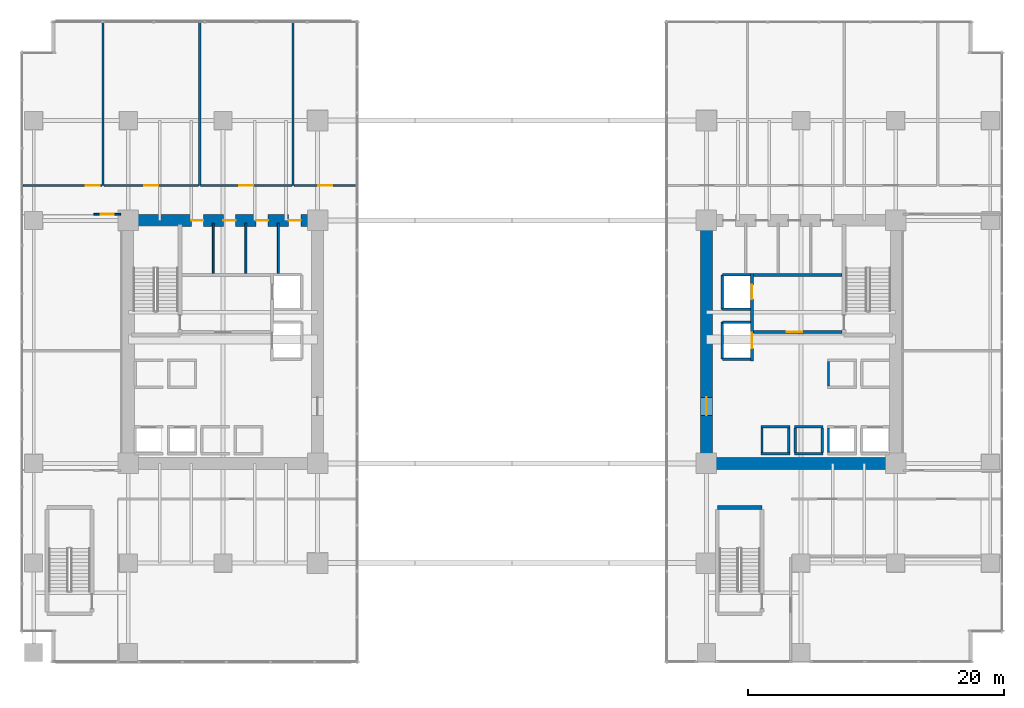
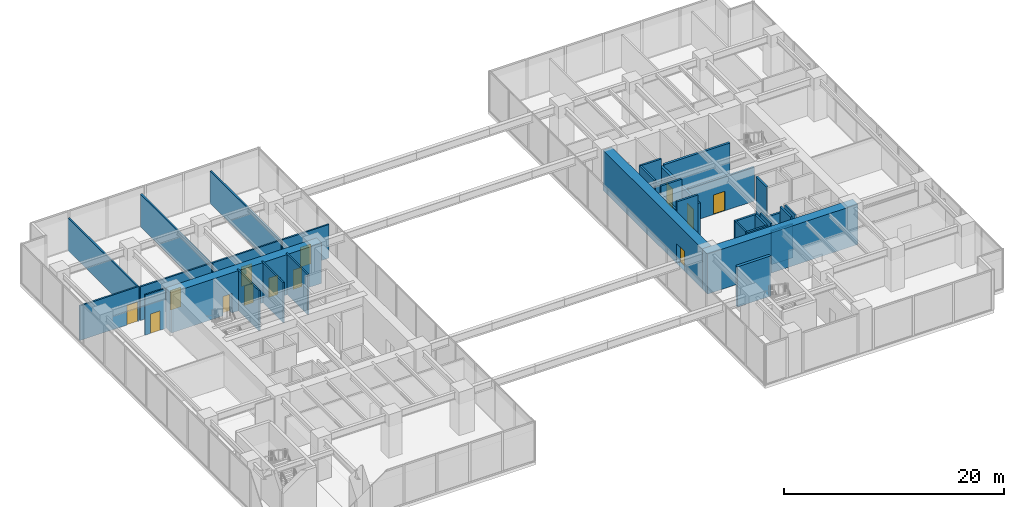
# One storey, part 31 of 39: 34 walls, 13 doors, 13 openings.
"""IFC4 building model written with IfcOpenShell, lengths in metres."""

from ifc_helpers import new_model, si_unit, direction, frame, frame_2d, origin, place, context, subcontext, project, spatial, rectangle, extrude, source, transform, mapped, material, layer, layer_set, type_object, type_shapes, element, fill, save


model = new_model("IFC4")

# Units and contexts
model_context = context("Model", 3, precision=1e-05, world=origin(), true_north=direction((0.0, 1.0)))
body_context = subcontext(model_context, "Body", "Model", "MODEL_VIEW")
ifc_project = project(units=[si_unit("LENGTHUNIT", "METRE"), si_unit("AREAUNIT", "SQUARE_METRE"), si_unit("VOLUMEUNIT", "CUBIC_METRE"), si_unit("PLANEANGLEUNIT", "RADIAN"), si_unit("MASSUNIT", "GRAM", prefix="KILO")], contexts=[model_context])

# Site, building, storey
site_placement = place(None, origin())
site = spatial("IfcSite", under=ifc_project, at=site_placement, CompositionType="ELEMENT")
building_placement = place(site_placement, origin())
building = spatial("IfcBuilding", under=site, at=building_placement, Name="Haelvirn Gate Laboratories", CompositionType="ELEMENT")
storey_placement = place(building_placement, frame((0.0, 0.0, 15.0)))
storey = spatial("IfcBuildingStorey", under=building, at=storey_placement, Name="L04", CompositionType="ELEMENT", Elevation=15.0)

# Wall, opening, door
ifc_material_1 = material(Name="Acoustic mineral-wool gypsum board partition", Category="gypsum")
ifc_layer_1 = layer(ifc_material_1, 0.139892578125, Name="IW-PART-140")
ifc_layer_set_1 = layer_set([ifc_layer_1], Name="Acoustic mineral-wool gypsum board partition")
wall_type_1 = type_object("IfcWallType", Name="IW-PART-140", PredefinedType="PARTITIONING", material=ifc_layer_set_1)
wall_1_placement = place(storey_placement, frame((4.699951171875, 34.280029296875, 0.0), z_axis=(0.0, 0.0, 1.0), x_axis=(1.0, 0.0, 0.0)))
wall_1 = element("IfcWall", 1, at=wall_1_placement, inside=storey, type_object=wall_type_1, Name="L04 Interior Wall IW-L04-PODOUTW-W-N", PredefinedType="PARTITIONING", context=body_context, shape_type="SweptSolid", body=[
    extrude(rectangle(XDim=2.10009765625, YDim=0.139892578125, at=frame_2d((1.050048828125, 0.0))), origin(), (0.0, 0.0, 1.0), 4.449951171875),
])
opening_1_placement = place(wall_1_placement, frame((0.550048828125, 0.0, 0.0)))
opening_1 = element("IfcOpeningElement", 2, at=opening_1_placement, cuts=wall_1, Name="Opening D2", PredefinedType="OPENING", context=body_context, shape_type="SweptSolid", body=[
    extrude(rectangle(XDim=1.0, YDim=2.14990234375, at=frame_2d((0.5, 1.074951171875))), frame((0.0, 0.080078125, 0.0), z_axis=(0.0, -1.0, 0.0), x_axis=(1.0, 0.0, 0.0)), (0.0, 0.0, 1.0), 0.159912109375),
])
ifc_material_2 = material(Name="Acoustic solid-core timber suite door", Category="wood")
door_type_1 = type_object("IfcDoorType", Name="DR-INT-1000", OperationType="NOTDEFINED", PredefinedType="DOOR", material=ifc_material_2)
shared_shape_1 = source(origin(), body_context, "Body", "SweptSolid", [
    extrude(rectangle(XDim=1.0, YDim=2.14990234375, at=frame_2d((0.5, 1.074951171875))), frame((0.0, 0.02490234375, 0.0), z_axis=(0.0, -1.0, 0.0), x_axis=(1.0, 0.0, 0.0)), (0.0, 0.0, 1.0), 0.050048828125),
])
type_shapes(door_type_1, [shared_shape_1])
door_1_placement = place(opening_1_placement, origin())
door_1 = element("IfcDoor", 3, at=door_1_placement, inside=storey, type_object=door_type_1, Name="L04 Computational Write-Up Office Outer Wing Door", OperationType="SINGLE_SWING_RIGHT", OverallHeight=2.14990234375, OverallWidth=1.0, PredefinedType="DOOR", context=body_context, shape_type="MappedRepresentation", body=[
    mapped(shared_shape_1, transform((0.0, 0.0, 0.0), scale=1.0)),
])
fill(opening_1, door_1)

ifc_material_3 = material(Name="Moisture-resistant gypsum laboratory partition", Category="gypsum")
ifc_layer_2 = layer(ifc_material_3, 0.1650390625, Name="IW-PART-160")
ifc_layer_set_2 = layer_set([ifc_layer_2], Name="Moisture-resistant gypsum laboratory partition")
wall_type_2 = type_object("IfcWallType", Name="IW-PART-160", PredefinedType="PARTITIONING", material=ifc_layer_set_2)
wall_2_placement = place(storey_placement, frame((-0.85009765625, 36.52001953125, 0.0), z_axis=(0.0, 0.0, 1.0), x_axis=(1.0, 0.0, 0.0)))
wall_2 = element("IfcWall", 4, at=wall_2_placement, inside=storey, type_object=wall_type_2, Name="L04 Interior Wall IW-L04-PODN-W-1", PredefinedType="PARTITIONING", context=body_context, shape_type="SweptSolid", body=[
    extrude(rectangle(XDim=6.18408203125, YDim=0.1650390625, at=frame_2d((3.092041015625, 0.0))), origin(), (0.0, 0.0, 1.0), 3.8349609375),
])
opening_2_placement = place(wall_2_placement, frame((4.93408203125, 0.0, 0.0)))
opening_2 = element("IfcOpeningElement", 5, at=opening_2_placement, cuts=wall_2, Name="Opening D1", PredefinedType="OPENING", context=body_context, shape_type="SweptSolid", body=[
    extrude(rectangle(XDim=1.10009765625, YDim=2.179931640625, at=frame_2d((0.550048828125, 1.08984375))), frame((0.0, 0.092529296875, 0.0), z_axis=(0.0, -1.0, 0.0), x_axis=(1.0, 0.0, 0.0)), (0.0, 0.0, 1.0), 0.18505859375),
])
ifc_material_4 = material(Name="Vision-panel acoustic solid-core timber lab door", Category="wood")
door_type_2 = type_object("IfcDoorType", Name="DR-LAB-1100", OperationType="NOTDEFINED", PredefinedType="DOOR", material=ifc_material_4)
shared_shape_2 = source(origin(), body_context, "Body", "SweptSolid", [
    extrude(rectangle(XDim=1.10009765625, YDim=2.179931640625, at=frame_2d((0.550048828125, 1.08984375))), frame((0.0, 0.02490234375, 0.0), z_axis=(0.0, -1.0, 0.0), x_axis=(1.0, 0.0, 0.0)), (0.0, 0.0, 1.0), 0.050048828125),
])
type_shapes(door_type_2, [shared_shape_2])
door_2_placement = place(opening_2_placement, origin())
door_2 = element("IfcDoor", 6, at=door_2_placement, inside=storey, type_object=door_type_2, Name="L04 Genomics Assay Laboratory North Door", OperationType="SINGLE_SWING_RIGHT", OverallHeight=2.179931640625, OverallWidth=1.10009765625, PredefinedType="DOOR", context=body_context, shape_type="MappedRepresentation", body=[
    mapped(shared_shape_2, transform((0.0, 0.0, 0.0), scale=1.0)),
])
fill(opening_2, door_2)

# Wall
wall_3_placement = place(storey_placement, frame((5.4140625, 36.52001953125, 0.0), z_axis=(0.0, 0.0, 1.0), x_axis=(0.0, 1.0, 0.0)))
element("IfcWall", 7, at=wall_3_placement, inside=storey, type_object=wall_type_2, Name="L04 Interior Wall IW-L04-PODNDIV-W-1", PredefinedType="PARTITIONING", context=body_context, shape_type="SweptSolid", body=[
    extrude(rectangle(XDim=12.77001953125, YDim=0.1650390625, at=frame_2d((6.385009765625, 0.0))), origin(), (0.0, 0.0, 1.0), 3.635009765625),
])

# Wall, opening, door
wall_4_placement = place(storey_placement, frame((5.493896484375, 36.52001953125, 0.0), z_axis=(0.0, 0.0, 1.0), x_axis=(1.0, 0.0, 0.0)))
wall_4 = element("IfcWall", 8, at=wall_4_placement, inside=storey, type_object=wall_type_2, Name="L04 Interior Wall IW-L04-PODN-W-2", PredefinedType="PARTITIONING", context=body_context, shape_type="SweptSolid", body=[
    extrude(rectangle(XDim=7.4091796875, YDim=0.1650390625, at=frame_2d((3.70458984375, 0.0))), origin(), (0.0, 0.0, 1.0), 3.735107421875),
])
opening_3_placement = place(wall_4_placement, frame((3.154541015625, 0.0, 0.0)))
opening_3 = element("IfcOpeningElement", 9, at=opening_3_placement, cuts=wall_4, Name="Opening D1", PredefinedType="OPENING", context=body_context, shape_type="SweptSolid", body=[
    extrude(rectangle(XDim=1.10009765625, YDim=2.179931640625, at=frame_2d((0.550048828125, 1.08984375))), frame((0.0, 0.092529296875, 0.0), z_axis=(0.0, -1.0, 0.0), x_axis=(1.0, 0.0, 0.0)), (0.0, 0.0, 1.0), 0.18505859375),
])
door_3_placement = place(opening_3_placement, origin())
door_3 = element("IfcDoor", 10, at=door_3_placement, inside=storey, type_object=door_type_2, Name="L04 Analytical Instrument Suite North Door", OperationType="SINGLE_SWING_LEFT", OverallHeight=2.179931640625, OverallWidth=1.10009765625, PredefinedType="DOOR", context=body_context, shape_type="MappedRepresentation", body=[
    mapped(shared_shape_2, transform((0.0, 0.0, 0.0), scale=1.0)),
])
fill(opening_3, door_3)

# Wall
wall_5_placement = place(storey_placement, frame((12.98291015625, 36.52001953125, 0.0), z_axis=(0.0, 0.0, 1.0), x_axis=(0.0, 1.0, 0.0)))
element("IfcWall", 11, at=wall_5_placement, inside=storey, type_object=wall_type_2, Name="L04 Interior Wall IW-L04-PODNDIV-W-2", PredefinedType="PARTITIONING", context=body_context, shape_type="SweptSolid", body=[
    extrude(rectangle(XDim=12.77001953125, YDim=0.1650390625, at=frame_2d((6.385009765625, 0.0))), origin(), (0.0, 0.0, 1.0), 3.635009765625),
])

# Wall, opening, door
wall_6_placement = place(storey_placement, frame((13.06298828125, 36.52001953125, 0.0), z_axis=(0.0, 0.0, 1.0), x_axis=(1.0, 0.0, 0.0)))
wall_6 = element("IfcWall", 12, at=wall_6_placement, inside=storey, type_object=wall_type_2, Name="L04 Interior Wall IW-L04-PODN-W-3", PredefinedType="PARTITIONING", context=body_context, shape_type="SweptSolid", body=[
    extrude(rectangle(XDim=7.14794921875, YDim=0.1650390625, at=frame_2d((3.573974609375, 0.0))), origin(), (0.0, 0.0, 1.0), 3.735107421875),
])
opening_4_placement = place(wall_6_placement, frame((3.02392578125, 0.0, 0.0)))
opening_4 = element("IfcOpeningElement", 13, at=opening_4_placement, cuts=wall_6, Name="Opening D1", PredefinedType="OPENING", context=body_context, shape_type="SweptSolid", body=[
    extrude(rectangle(XDim=1.10009765625, YDim=2.179931640625, at=frame_2d((0.550048828125, 1.08984375))), frame((0.0, 0.092529296875, 0.0), z_axis=(0.0, -1.0, 0.0), x_axis=(1.0, 0.0, 0.0)), (0.0, 0.0, 1.0), 0.18505859375),
])
door_4_placement = place(opening_4_placement, origin())
door_4 = element("IfcDoor", 14, at=door_4_placement, inside=storey, type_object=door_type_2, Name="L04 Computational Write-Up Office North Door", OperationType="SINGLE_SWING_RIGHT", OverallHeight=2.179931640625, OverallWidth=1.10009765625, PredefinedType="DOOR", context=body_context, shape_type="MappedRepresentation", body=[
    mapped(shared_shape_2, transform((0.0, 0.0, 0.0), scale=1.0)),
])
fill(opening_4, door_4)

# Wall
wall_7_placement = place(storey_placement, frame((20.291015625, 36.52001953125, 0.0), z_axis=(0.0, 0.0, 1.0), x_axis=(0.0, 1.0, 0.0)))
element("IfcWall", 15, at=wall_7_placement, inside=storey, type_object=wall_type_2, Name="L04 Interior Wall IW-L04-PODNDIV-W-3", PredefinedType="PARTITIONING", context=body_context, shape_type="SweptSolid", body=[
    extrude(rectangle(XDim=12.77001953125, YDim=0.1650390625, at=frame_2d((6.385009765625, 0.0))), origin(), (0.0, 0.0, 1.0), 3.635009765625),
])

# Wall, opening, door
wall_8_placement = place(storey_placement, frame((20.37109375, 36.52001953125, 0.0), z_axis=(0.0, 0.0, 1.0), x_axis=(1.0, 0.0, 0.0)))
wall_8 = element("IfcWall", 16, at=wall_8_placement, inside=storey, type_object=wall_type_2, Name="L04 Interior Wall IW-L04-PODN-W-4", PredefinedType="PARTITIONING", context=body_context, shape_type="SweptSolid", body=[
    extrude(rectangle(XDim=4.87890625, YDim=0.1650390625, at=frame_2d((2.439453125, 0.0))), origin(), (0.0, 0.0, 1.0), 3.735107421875),
])
opening_5_placement = place(wall_8_placement, frame((1.889404296875, 0.0, 0.0)))
opening_5 = element("IfcOpeningElement", 17, at=opening_5_placement, cuts=wall_8, Name="Opening D1", PredefinedType="OPENING", context=body_context, shape_type="SweptSolid", body=[
    extrude(rectangle(XDim=1.10009765625, YDim=2.179931640625, at=frame_2d((0.550048828125, 1.08984375))), frame((0.0, 0.092529296875, 0.0), z_axis=(0.0, -1.0, 0.0), x_axis=(1.0, 0.0, 0.0)), (0.0, 0.0, 1.0), 0.18505859375),
])
door_5_placement = place(opening_5_placement, origin())
door_5 = element("IfcDoor", 18, at=door_5_placement, inside=storey, type_object=door_type_2, Name="L04 Research Seminar & Review Room North Door", OperationType="SINGLE_SWING_LEFT", OverallHeight=2.179931640625, OverallWidth=1.10009765625, PredefinedType="DOOR", context=body_context, shape_type="MappedRepresentation", body=[
    mapped(shared_shape_2, transform((0.0, 0.0, 0.0), scale=1.0)),
])
fill(opening_5, door_5)

# Walls
ifc_material_5 = material(Name="Cement-board restroom plumbing chase wall", Category="gypsum")
ifc_layer_3 = layer(ifc_material_5, 0.155029296875, Name="IW-PLUMB-160")
ifc_layer_set_3 = layer_set([ifc_layer_3], Name="Cement-board restroom plumbing chase wall")
wall_type_3 = type_object("IfcWallType", Name="IW-PLUMB-160", PredefinedType="PLUMBINGWALL", material=ifc_layer_set_3)
for number, where, z_axis, x_axis, name in (
    (19, (14.0400390625, 29.64990234375, 0.0), (0.0, 0.0, 1.0), (0.0, 1.0, 0.0), "L04 Interior Wall IW-L04-W-CDIV-1"),
    (20, (16.590087890625, 29.64990234375, 0.0), (0.0, 0.0, 1.0), (0.0, 1.0, 0.0), "L04 Interior Wall IW-L04-W-CDIV-2"),
    (21, (19.139892578125, 29.64990234375, 0.0), (0.0, 0.0, 1.0), (0.0, 1.0, 0.0), "L04 Interior Wall IW-L04-W-CDIV-3"),
):
    element("IfcWall", number, at=place(storey_placement, frame(where, z_axis=z_axis, x_axis=x_axis)), inside=storey, type_object=wall_type_3, Name=name, PredefinedType="PLUMBINGWALL", context=body_context, shape_type="SweptSolid", body=[
        extrude(rectangle(XDim=3.93017578125, YDim=0.155029296875, at=frame_2d((1.965087890625, 0.0))), origin(), (0.0, 0.0, 1.0), 4.449951171875),
    ])
ifc_material_6 = material(Name="Concrete C40/50", Category="concrete")
ifc_layer_4 = layer(ifc_material_6, 0.179931640625, Name="IW-SHAFT-180")
ifc_layer_set_4 = layer_set([ifc_layer_4], Name="Concrete C40/50")
wall_type_4 = type_object("IfcWallType", Name="IW-SHAFT-180", PredefinedType="SOLIDWALL", material=ifc_layer_set_4)
for number, where, z_axis, x_axis, name in (
    (22, (62.14990234375, 15.64990234375, 0.0), (0.0, 0.0, 1.0), (0.0, 1.0, 0.0), "L04 Interior Wall IW-L04-PL4-SD"),
    (23, (59.550048828125, 15.64990234375, 0.0), (0.0, 0.0, 1.0), (0.0, 1.0, 0.0), "L04 Interior Wall IW-L04-PL7-SD"),
    (24, (61.64990234375, 15.64990234375, 0.0), (0.0, 0.0, 1.0), (0.0, 1.0, 0.0), "L04 Interior Wall IW-L04-PL7-SDE"),
    (25, (56.949951171875, 15.64990234375, 0.0), (0.0, 0.0, 1.0), (0.0, 1.0, 0.0), "L04 Interior Wall IW-L04-PL8-SD"),
    (26, (59.050048828125, 15.64990234375, 0.0), (0.0, 0.0, 1.0), (0.0, 1.0, 0.0), "L04 Interior Wall IW-L04-PL8-SDE"),
):
    element("IfcWall", number, at=place(storey_placement, frame(where, z_axis=z_axis, x_axis=x_axis)), inside=storey, type_object=wall_type_4, Name=name, PredefinedType="SOLIDWALL", context=body_context, shape_type="SweptSolid", body=[
        extrude(rectangle(XDim=1.900146484375, YDim=0.179931640625, at=frame_2d((0.9501953125, 0.0))), origin(), (0.0, 0.0, 1.0), 4.449951171875),
    ])
wall_9_placement = place(storey_placement, frame((62.14990234375, 20.85009765625, 0.0), z_axis=(0.0, 0.0, 1.0), x_axis=(0.0, 1.0, 0.0)))
element("IfcWall", 27, at=wall_9_placement, inside=storey, type_object=wall_type_4, Name="L04 Interior Wall IW-L04-PL12-SD", PredefinedType="SOLIDWALL", context=body_context, shape_type="SweptSolid", body=[
    extrude(rectangle(XDim=1.89990234375, YDim=0.179931640625, at=frame_2d((0.949951171875, 0.0))), origin(), (0.0, 0.0, 1.0), 4.449951171875),
])
ifc_layer_5 = layer(ifc_material_6, 0.199951171875, Name="IW-SHAFT-200")
ifc_layer_set_5 = layer_set([ifc_layer_5], Name="Concrete C40/50")
wall_type_5 = type_object("IfcWallType", Name="IW-SHAFT-200", PredefinedType="SOLIDWALL", material=ifc_layer_set_5)
for number, where, z_axis, x_axis, name in (
    (28, (59.469970703125, 17.64990234375, 0.0), (0.0, 0.0, 1.0), (1.0, 0.0, 0.0), "L04 Interior Wall IW-L04-PL7-FR"),
    (29, (59.469970703125, 15.550048828125, 0.0), (0.0, 0.0, 1.0), (1.0, 0.0, 0.0), "L04 Interior Wall IW-L04-PL7-BK"),
):
    element("IfcWall", number, at=place(storey_placement, frame(where, z_axis=z_axis, x_axis=x_axis)), inside=storey, type_object=wall_type_5, Name=name, PredefinedType="SOLIDWALL", context=body_context, shape_type="SweptSolid", body=[
        extrude(rectangle(XDim=2.260009765625, YDim=0.199951171875, at=frame_2d((1.1298828125, 0.0))), origin(), (0.0, 0.0, 1.0), 3.735107421875),
    ])
for number, where, z_axis, x_axis, name in (
    (30, (56.8701171875, 17.64990234375, 0.0), (0.0, 0.0, 1.0), (1.0, 0.0, 0.0), "L04 Interior Wall IW-L04-PL8-FR"),
    (31, (56.8701171875, 15.550048828125, 0.0), (0.0, 0.0, 1.0), (1.0, 0.0, 0.0), "L04 Interior Wall IW-L04-PL8-BK"),
):
    element("IfcWall", number, at=place(storey_placement, frame(where, z_axis=z_axis, x_axis=x_axis)), inside=storey, type_object=wall_type_5, Name=name, PredefinedType="SOLIDWALL", context=body_context, shape_type="SweptSolid", body=[
        extrude(rectangle(XDim=2.259765625, YDim=0.199951171875, at=frame_2d((1.1298828125, 0.0))), origin(), (0.0, 0.0, 1.0), 4.449951171875),
    ])
wall_10_placement = place(storey_placement, frame((53.85009765625, 26.85009765625, 0.0), z_axis=(0.0, 0.0, 1.0), x_axis=(0.0, 1.0, 0.0)))
element("IfcWall", 32, at=wall_10_placement, inside=storey, type_object=wall_type_5, Name="L04 Interior Wall IW-L04-FL2-BK", PredefinedType="SOLIDWALL", context=body_context, shape_type="SweptSolid", body=[
    extrude(rectangle(XDim=2.699951171875, YDim=0.199951171875, at=frame_2d((1.35009765625, 0.0))), origin(), (0.0, 0.0, 1.0), 4.449951171875),
])
wall_11_placement = place(storey_placement, frame((53.85009765625, 29.550048828125, 0.0), z_axis=(0.0, 0.0, 1.0), x_axis=(1.0, 0.0, 0.0)))
element("IfcWall", 33, at=wall_11_placement, inside=storey, type_object=wall_type_5, Name="L04 Interior Wall IW-L04-FL2-N", PredefinedType="SOLIDWALL", context=body_context, shape_type="SweptSolid", body=[
    extrude(rectangle(XDim=2.18994140625, YDim=0.199951171875, at=frame_2d((1.094970703125, 0.0))), origin(), (0.0, 0.0, 1.0), 4.449951171875),
])
wall_12_placement = place(storey_placement, frame((53.85009765625, 26.85009765625, 0.0), z_axis=(0.0, 0.0, 1.0), x_axis=(1.0, 0.0, 0.0)))
element("IfcWall", 34, at=wall_12_placement, inside=storey, type_object=wall_type_5, Name="L04 Interior Wall IW-L04-FL2-S", PredefinedType="SOLIDWALL", context=body_context, shape_type="SweptSolid", body=[
    extrude(rectangle(XDim=2.18994140625, YDim=0.199951171875, at=frame_2d((1.094970703125, 0.0))), origin(), (0.0, 0.0, 1.0), 3.846923828125),
])
wall_13_placement = place(storey_placement, frame((53.85009765625, 22.949951171875, 0.0), z_axis=(0.0, 0.0, 1.0), x_axis=(0.0, 1.0, 0.0)))
element("IfcWall", 35, at=wall_13_placement, inside=storey, type_object=wall_type_5, Name="L04 Interior Wall IW-L04-SL2-BK", PredefinedType="SOLIDWALL", context=body_context, shape_type="SweptSolid", body=[
    extrude(rectangle(XDim=2.900146484375, YDim=0.199951171875, at=frame_2d((1.4501953125, 0.0))), origin(), (0.0, 0.0, 1.0), 3.534912109375),
])
for number, where, z_axis, x_axis, name in (
    (36, (53.85009765625, 25.85009765625, 0.0), (0.0, 0.0, 1.0), (1.0, 0.0, 0.0), "L04 Interior Wall IW-L04-SL2-N"),
    (37, (53.85009765625, 22.949951171875, 0.0), (0.0, 0.0, 1.0), (1.0, 0.0, 0.0), "L04 Interior Wall IW-L04-SL2-S"),
):
    element("IfcWall", number, at=place(storey_placement, frame(where, z_axis=z_axis, x_axis=x_axis)), inside=storey, type_object=wall_type_5, Name=name, PredefinedType="SOLIDWALL", context=body_context, shape_type="SweptSolid", body=[
        extrude(rectangle(XDim=2.18994140625, YDim=0.199951171875, at=frame_2d((1.094970703125, 0.0))), origin(), (0.0, 0.0, 1.0), 4.449951171875),
    ])

# Wall, opening, door
ifc_layer_6 = layer(ifc_material_6, 0.239990234375, Name="IW-SHAFT-240")
ifc_layer_set_6 = layer_set([ifc_layer_6], Name="Concrete C40/50")
wall_type_6 = type_object("IfcWallType", Name="IW-SHAFT-240", PredefinedType="SOLIDWALL", material=ifc_layer_set_6)
wall_14_placement = place(storey_placement, frame((56.280029296875, 25.080078125, 0.0), z_axis=(0.0, 0.0, 1.0), x_axis=(1.0, 0.0, 0.0)))
wall_14 = element("IfcWall", 38, at=wall_14_placement, inside=storey, type_object=wall_type_6, Name="L04 Interior Wall IW-L04-E-FF-S", PredefinedType="SOLIDWALL", context=body_context, shape_type="SweptSolid", body=[
    extrude(rectangle(XDim=6.919921875, YDim=0.239990234375, at=frame_2d((3.4599609375, 0.0))), origin(), (0.0, 0.0, 1.0), 3.735107421875),
])
opening_6_placement = place(wall_14_placement, frame((2.60009765625, 0.0, 0.0)))
opening_6 = element("IfcOpeningElement", 39, at=opening_6_placement, cuts=wall_14, Name="Opening FD2", PredefinedType="OPENING", context=body_context, shape_type="SweptSolid", body=[
    extrude(rectangle(XDim=1.199951171875, YDim=2.159912109375, at=frame_2d((0.60009765625, 1.080078125))), frame((0.0, 0.1298828125, 0.0), z_axis=(0.0, -1.0, 0.0), x_axis=(1.0, 0.0, 0.0)), (0.0, 0.0, 1.0), 0.260009765625),
])
ifc_material_7 = material(Name="Fire-rated steel SM355 compartment door", Category="steel")
door_type_3 = type_object("IfcDoorType", Name="DR-FD-1200", OperationType="NOTDEFINED", PredefinedType="DOOR", material=ifc_material_7)
shared_shape_3 = source(origin(), body_context, "Body", "SweptSolid", [
    extrude(rectangle(XDim=1.199951171875, YDim=2.159912109375, at=frame_2d((0.60009765625, 1.080078125))), frame((0.0, 0.02490234375, 0.0), z_axis=(0.0, -1.0, 0.0), x_axis=(1.0, 0.0, 0.0)), (0.0, 0.0, 1.0), 0.050048828125),
])
type_shapes(door_type_3, [shared_shape_3])
door_6_placement = place(opening_6_placement, origin())
door_6 = element("IfcDoor", 40, at=door_6_placement, inside=storey, type_object=door_type_3, Name="L04 East Firefighting Lobby Door", OperationType="SINGLE_SWING_LEFT", OverallHeight=2.159912109375, OverallWidth=1.199951171875, PredefinedType="DOOR", context=body_context, shape_type="MappedRepresentation", body=[
    mapped(shared_shape_3, transform((0.0, 0.0, 0.0), scale=1.0)),
])
fill(opening_6, door_6)

# Wall
wall_15_placement = place(storey_placement, frame((56.280029296875, 29.52001953125, 0.0), z_axis=(0.0, 0.0, 1.0), x_axis=(1.0, 0.0, 0.0)))
element("IfcWall", 41, at=wall_15_placement, inside=storey, type_object=wall_type_6, Name="L04 Interior Wall IW-L04-E-FF-N", PredefinedType="SOLIDWALL", context=body_context, shape_type="SweptSolid", body=[
    extrude(rectangle(XDim=6.919921875, YDim=0.239990234375, at=frame_2d((3.4599609375, 0.0))), origin(), (0.0, 0.0, 1.0), 3.735107421875),
])

# Wall, openings, doors
wall_16_placement = place(storey_placement, frame((56.159912109375, 22.800048828125, 0.0), z_axis=(0.0, 0.0, 1.0), x_axis=(0.0, 1.0, 0.0)))
wall_16 = element("IfcWall", 42, at=wall_16_placement, inside=storey, type_object=wall_type_6, Name="L04 Interior Wall IW-L04-E-FF-E", PredefinedType="SOLIDWALL", context=body_context, shape_type="SweptSolid", body=[
    extrude(rectangle(XDim=6.849853515625, YDim=0.239990234375, at=frame_2d((3.4248046875, 0.0))), origin(), (0.0, 0.0, 1.0), 3.534912109375),
])
opening_7_placement = place(wall_16_placement, frame((4.85009765625, 0.0, 0.0)))
opening_7 = element("IfcOpeningElement", 43, at=opening_7_placement, cuts=wall_16, Name="Opening LD2", PredefinedType="OPENING", context=body_context, shape_type="SweptSolid", body=[
    extrude(rectangle(XDim=1.10009765625, YDim=2.219970703125, at=frame_2d((0.550048828125, 1.10986328125))), frame((0.0, 0.1298828125, 0.0), z_axis=(0.0, -1.0, 0.0), x_axis=(1.0, 0.0, 0.0)), (0.0, 0.0, 1.0), 0.260009765625),
])
opening_8_placement = place(wall_16_placement, frame((1.0, 0.0, 0.0)))
opening_8 = element("IfcOpeningElement", 44, at=opening_8_placement, cuts=wall_16, Name="Opening LD1", PredefinedType="OPENING", context=body_context, shape_type="SweptSolid", body=[
    extrude(rectangle(XDim=1.199951171875, YDim=2.219970703125, at=frame_2d((0.60009765625, 1.10986328125))), frame((0.0, 0.1298828125, 0.0), z_axis=(0.0, -1.0, 0.0), x_axis=(1.0, 0.0, 0.0)), (0.0, 0.0, 1.0), 0.260009765625),
])
ifc_material_8 = material(Name="Bronze stainless 316L sliding lift landing door")
door_type_4 = type_object("IfcDoorType", Name="DR-LD-1100", OperationType="NOTDEFINED", PredefinedType="USERDEFINED", material=ifc_material_8)
shared_shape_4 = source(origin(), body_context, "Body", "SweptSolid", [
    extrude(rectangle(XDim=1.10009765625, YDim=2.219970703125, at=frame_2d((0.550048828125, 1.10986328125))), frame((0.0, 0.02490234375, 0.0), z_axis=(0.0, -1.0, 0.0), x_axis=(1.0, 0.0, 0.0)), (0.0, 0.0, 1.0), 0.050048828125),
])
type_shapes(door_type_4, [shared_shape_4])
door_7_placement = place(opening_7_placement, origin())
door_7 = element("IfcDoor", 45, at=door_7_placement, inside=storey, type_object=door_type_4, Name="L04 Firefighting Lift FL2 Landing Door", ObjectType="LANDING_DOOR", OperationType="SLIDING_TO_RIGHT", OverallHeight=2.219970703125, OverallWidth=1.10009765625, PredefinedType="USERDEFINED", context=body_context, shape_type="MappedRepresentation", body=[
    mapped(shared_shape_4, transform((0.0, 0.0, 0.0), scale=1.0)),
])
fill(opening_7, door_7)
ifc_material_9 = material(Name="Stainless steel 316L sliding goods landing door", Category="steel")
door_type_5 = type_object("IfcDoorType", Name="DR-LD-1200", OperationType="NOTDEFINED", PredefinedType="USERDEFINED", material=ifc_material_9)
shared_shape_5 = source(origin(), body_context, "Body", "SweptSolid", [
    extrude(rectangle(XDim=1.199951171875, YDim=2.219970703125, at=frame_2d((0.60009765625, 1.10986328125))), frame((0.0, 0.02490234375, 0.0), z_axis=(0.0, -1.0, 0.0), x_axis=(1.0, 0.0, 0.0)), (0.0, 0.0, 1.0), 0.050048828125),
])
type_shapes(door_type_5, [shared_shape_5])
door_8_placement = place(opening_8_placement, origin())
door_8 = element("IfcDoor", 46, at=door_8_placement, inside=storey, type_object=door_type_5, Name="L04 Service Lift SL2 Landing Door", ObjectType="LANDING_DOOR", OperationType="SLIDING_TO_LEFT", OverallHeight=2.219970703125, OverallWidth=1.199951171875, PredefinedType="USERDEFINED", context=body_context, shape_type="MappedRepresentation", body=[
    mapped(shared_shape_5, transform((0.0, 0.0, 0.0), scale=1.0)),
])
fill(opening_8, door_8)

ifc_material_10 = material(Name="Concrete C70/85", Category="concrete")
ifc_layer_7 = layer(ifc_material_10, 0.949951171875, Name="SW-CORE-950")
ifc_layer_set_7 = layer_set([ifc_layer_7], Name="Concrete C70/85")
wall_type_7 = type_object("IfcWallType", Name="SW-CORE-950", PredefinedType="SHEAR", material=ifc_layer_set_7)
wall_17_placement = place(storey_placement, frame((6.925048828125, 33.800048828125, 0.0), z_axis=(0.0, 0.0, 1.0), x_axis=(1.0, 0.0, 0.0)))
wall_17 = element("IfcWall", 47, at=wall_17_placement, inside=storey, type_object=wall_type_7, Name="L04 W Core Shear Wall N", PredefinedType="SHEAR", context=body_context, shape_type="SweptSolid", body=[
    extrude(rectangle(XDim=15.75, YDim=0.949951171875, at=frame_2d((7.875, 0.0))), origin(), (0.0, 0.0, 1.0), 4.449951171875),
])
opening_9_placement = place(wall_17_placement, frame((5.39990234375, 0.0, 0.0)))
opening_9 = element("IfcOpeningElement", 48, at=opening_9_placement, cuts=wall_17, Name="Opening FD4", PredefinedType="OPENING", context=body_context, shape_type="SweptSolid", body=[
    extrude(rectangle(XDim=0.949951171875, YDim=2.14990234375, at=frame_2d((0.47509765625, 1.074951171875))), frame((0.0, 0.48486328125, 0.0), z_axis=(0.0, -1.0, 0.0), x_axis=(1.0, 0.0, 0.0)), (0.0, 0.0, 1.0), 0.969970703125),
])
opening_10_placement = place(wall_17_placement, frame((7.9150390625, 0.0, 0.0)))
opening_10 = element("IfcOpeningElement", 49, at=opening_10_placement, cuts=wall_17, Name="Opening FD4", PredefinedType="OPENING", context=body_context, shape_type="SweptSolid", body=[
    extrude(rectangle(XDim=0.949951171875, YDim=2.14990234375, at=frame_2d((0.47509765625, 1.074951171875))), frame((0.0, 0.48486328125, 0.0), z_axis=(0.0, -1.0, 0.0), x_axis=(1.0, 0.0, 0.0)), (0.0, 0.0, 1.0), 0.969970703125),
])
opening_11_placement = place(wall_17_placement, frame((10.465087890625, 0.0, 0.0)))
opening_11 = element("IfcOpeningElement", 50, at=opening_11_placement, cuts=wall_17, Name="Opening FD4", PredefinedType="OPENING", context=body_context, shape_type="SweptSolid", body=[
    extrude(rectangle(XDim=0.949951171875, YDim=2.14990234375, at=frame_2d((0.47509765625, 1.074951171875))), frame((0.0, 0.48486328125, 0.0), z_axis=(0.0, -1.0, 0.0), x_axis=(1.0, 0.0, 0.0)), (0.0, 0.0, 1.0), 0.969970703125),
])
opening_12_placement = place(wall_17_placement, frame((13.014892578125, 0.0, 0.0)))
opening_12 = element("IfcOpeningElement", 51, at=opening_12_placement, cuts=wall_17, Name="Opening FD4", PredefinedType="OPENING", context=body_context, shape_type="SweptSolid", body=[
    extrude(rectangle(XDim=0.949951171875, YDim=2.14990234375, at=frame_2d((0.47509765625, 1.074951171875))), frame((0.0, 0.48486328125, 0.0), z_axis=(0.0, -1.0, 0.0), x_axis=(1.0, 0.0, 0.0)), (0.0, 0.0, 1.0), 0.969970703125),
])
ifc_material_11 = material(Name="Fire-rated steel SM355 core service door", Category="steel")
door_type_6 = type_object("IfcDoorType", Name="DR-FD-950", OperationType="NOTDEFINED", PredefinedType="DOOR", material=ifc_material_11)
shared_shape_6 = source(origin(), body_context, "Body", "SweptSolid", [
    extrude(rectangle(XDim=0.949951171875, YDim=2.14990234375, at=frame_2d((0.47509765625, 1.074951171875))), frame((0.0, 0.02490234375, 0.0), z_axis=(0.0, -1.0, 0.0), x_axis=(1.0, 0.0, 0.0)), (0.0, 0.0, 1.0), 0.050048828125),
])
type_shapes(door_type_6, [shared_shape_6])
door_9_placement = place(opening_9_placement, origin())
door_9 = element("IfcDoor", 52, at=door_9_placement, inside=storey, type_object=door_type_6, Name="L04 Male Restroom Fire Door", OperationType="SINGLE_SWING_LEFT", OverallHeight=2.14990234375, OverallWidth=0.949951171875, PredefinedType="DOOR", context=body_context, shape_type="MappedRepresentation", body=[
    mapped(shared_shape_6, transform((0.0, 0.0, 0.0), scale=1.0)),
])
fill(opening_9, door_9)
door_10_placement = place(opening_10_placement, origin())
door_10 = element("IfcDoor", 53, at=door_10_placement, inside=storey, type_object=door_type_6, Name="L04 Female Restroom Fire Door", OperationType="SINGLE_SWING_RIGHT", OverallHeight=2.14990234375, OverallWidth=0.949951171875, PredefinedType="DOOR", context=body_context, shape_type="MappedRepresentation", body=[
    mapped(shared_shape_6, transform((0.0, 0.0, 0.0), scale=1.0)),
])
fill(opening_10, door_10)
door_11_placement = place(opening_11_placement, origin())
door_11 = element("IfcDoor", 54, at=door_11_placement, inside=storey, type_object=door_type_6, Name="L04 Accessible Restroom Fire Door", OperationType="SINGLE_SWING_LEFT", OverallHeight=2.14990234375, OverallWidth=0.949951171875, PredefinedType="DOOR", context=body_context, shape_type="MappedRepresentation", body=[
    mapped(shared_shape_6, transform((0.0, 0.0, 0.0), scale=1.0)),
])
fill(opening_11, door_11)
door_12_placement = place(opening_12_placement, origin())
door_12 = element("IfcDoor", 55, at=door_12_placement, inside=storey, type_object=door_type_6, Name="L04 Decontamination Shower Washroom Fire Door", OperationType="SINGLE_SWING_RIGHT", OverallHeight=2.14990234375, OverallWidth=0.949951171875, PredefinedType="DOOR", context=body_context, shape_type="MappedRepresentation", body=[
    mapped(shared_shape_6, transform((0.0, 0.0, 0.0), scale=1.0)),
])
fill(opening_12, door_12)

# Wall
wall_18_placement = place(storey_placement, frame((52.125, 14.800048828125, 0.0), z_axis=(0.0, 0.0, 1.0), x_axis=(1.0, 0.0, 0.0)))
element("IfcWall", 56, at=wall_18_placement, inside=storey, type_object=wall_type_7, Name="L04 E Core Shear Wall S", PredefinedType="SHEAR", context=body_context, shape_type="SweptSolid", body=[
    extrude(rectangle(XDim=15.75, YDim=0.949951171875, at=frame_2d((7.875, 0.0))), origin(), (0.0, 0.0, 1.0), 4.449951171875),
])

# Wall, opening, door
wall_19_placement = place(storey_placement, frame((52.60009765625, 15.27490234375, 0.0), z_axis=(0.0, 0.0, 1.0), x_axis=(0.0, 1.0, 0.0)))
wall_19 = element("IfcWall", 57, at=wall_19_placement, inside=storey, type_object=wall_type_7, Name="L04 E Core Shear Wall W", PredefinedType="SHEAR", context=body_context, shape_type="SweptSolid", body=[
    extrude(rectangle(XDim=18.050048828125, YDim=0.949951171875, at=frame_2d((9.02490234375, 0.0))), origin(), (0.0, 0.0, 1.0), 4.449951171875),
])
opening_13_placement = place(wall_19_placement, frame((3.27490234375, 0.0, 0.0)))
opening_13 = element("IfcOpeningElement", 58, at=opening_13_placement, cuts=wall_19, Name="Opening FD1", PredefinedType="OPENING", context=body_context, shape_type="SweptSolid", body=[
    extrude(rectangle(XDim=1.419921875, YDim=2.199951171875, at=frame_2d((0.7099609375, 1.10009765625))), frame((0.0, 0.48486328125, 0.0), z_axis=(0.0, -1.0, 0.0), x_axis=(1.0, 0.0, 0.0)), (0.0, 0.0, 1.0), 0.969970703125),
])
ifc_material_12 = material(Name="Fire-rated double steel SM355 lobby door", Category="steel")
door_type_7 = type_object("IfcDoorType", Name="DR-FD-1400", OperationType="NOTDEFINED", PredefinedType="DOOR", material=ifc_material_12)
shared_shape_7 = source(origin(), body_context, "Body", "SweptSolid", [
    extrude(rectangle(XDim=1.419921875, YDim=2.199951171875, at=frame_2d((0.7099609375, 1.10009765625))), frame((0.0, 0.02490234375, 0.0), z_axis=(0.0, -1.0, 0.0), x_axis=(1.0, 0.0, 0.0)), (0.0, 0.0, 1.0), 0.050048828125),
])
type_shapes(door_type_7, [shared_shape_7])
door_13_placement = place(opening_13_placement, origin())
door_13 = element("IfcDoor", 59, at=door_13_placement, inside=storey, type_object=door_type_7, Name="L04 East Core Lift Lobby Fire Door", OperationType="DOUBLE_DOOR_SINGLE_SWING", OverallHeight=2.199951171875, OverallWidth=1.419921875, PredefinedType="DOOR", context=body_context, shape_type="MappedRepresentation", body=[
    mapped(shared_shape_7, transform((0.0, 0.0, 0.0), scale=1.0)),
])
fill(opening_13, door_13)

# Wall
ifc_material_13 = material(Name="Concrete C50/60", Category="concrete")
ifc_layer_8 = layer(ifc_material_13, 0.300048828125, Name="SW-STAIR-300")
ifc_layer_set_8 = layer_set([ifc_layer_8], Name="Concrete C50/60")
wall_type_8 = type_object("IfcWallType", Name="SW-STAIR-300", PredefinedType="SHEAR", material=ifc_layer_set_8)
wall_20_placement = place(storey_placement, frame((53.449951171875, 11.35009765625, 0.0), z_axis=(0.0, 0.0, 1.0), x_axis=(1.0, 0.0, 0.0)))
element("IfcWall", 60, at=wall_20_placement, inside=storey, type_object=wall_type_8, Name="L04 Podium Stair ST4 Structural Wall N", PredefinedType="SHEAR", context=body_context, shape_type="SweptSolid", body=[
    extrude(rectangle(XDim=3.5, YDim=0.300048828125, at=frame_2d((1.75, 0.0))), origin(), (0.0, 0.0, 1.0), 4.449951171875),
])

save(model, "model.ifc")
